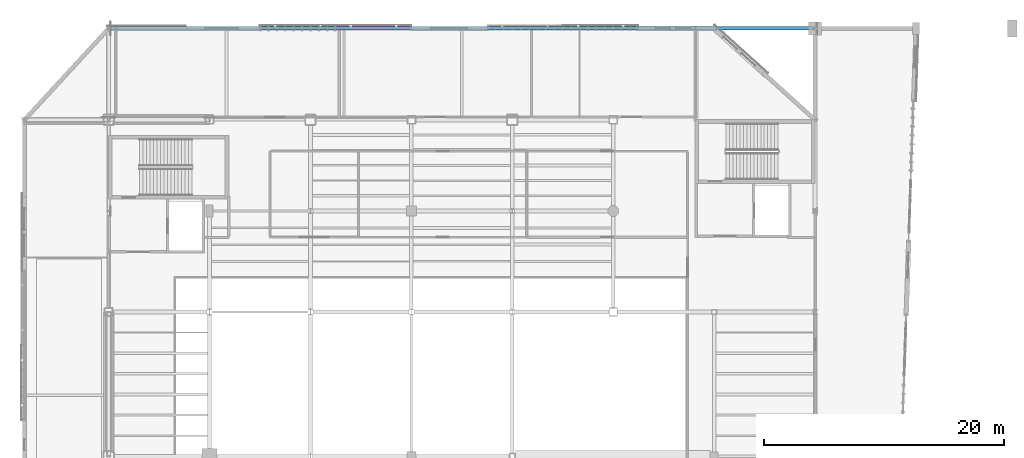
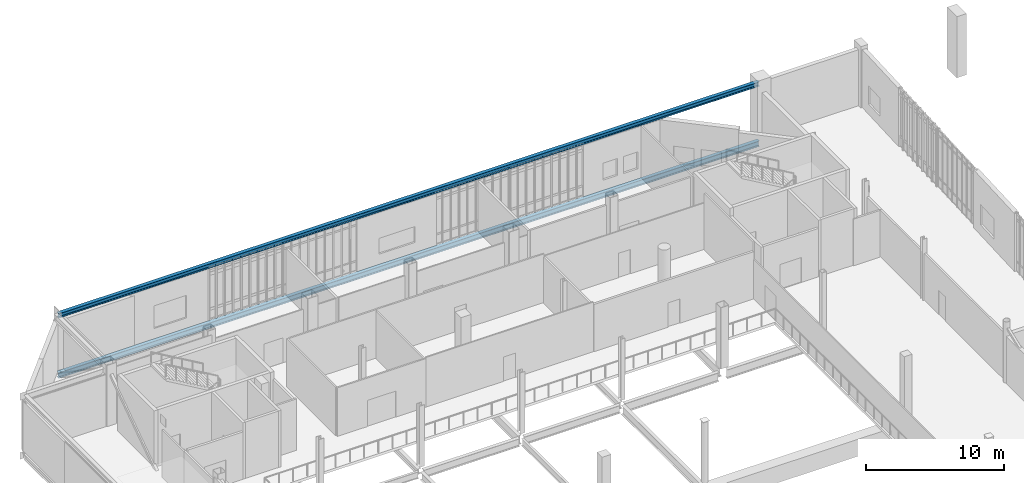
# One storey, part 37 of 127: 2 beams.
"""IFC4 building model written with IfcOpenShell, lengths in metres."""

from ifc_helpers import new_model, si_unit, direction, frame, origin, origin_2d, place, context, subcontext, project, spatial, i_section, extrude, material, material_profile, profile_set, type_object, element, save


model = new_model("IFC4")

# Units and contexts
model_context = context("Model", 3, precision=1e-05, world=origin(), true_north=direction((0.0, 1.0)))
body_context = subcontext(model_context, "Body", "Model", "MODEL_VIEW")
ifc_project = project(units=[si_unit("LENGTHUNIT", "METRE"), si_unit("AREAUNIT", "SQUARE_METRE"), si_unit("VOLUMEUNIT", "CUBIC_METRE"), si_unit("PLANEANGLEUNIT", "RADIAN"), si_unit("MASSUNIT", "GRAM", prefix="KILO")], contexts=[model_context])

# Site, building, storey
site_placement = place(None, origin())
site = spatial("IfcSite", under=ifc_project, at=site_placement, CompositionType="ELEMENT")
building_placement = place(site_placement, origin())
building = spatial("IfcBuilding", under=site, at=building_placement, Name="Larkvane Passage Sports Hall", CompositionType="ELEMENT")
storey_placement = place(building_placement, frame((0.0, 0.0, 5.39990234375)))
storey = spatial("IfcBuildingStorey", under=building, at=storey_placement, Name="L01", CompositionType="ELEMENT", Elevation=5.39990234375)

# Beams
ifc_material = material(Name="Steel S355JR", Category="steel")
ifc_material_profile_1 = material_profile(ifc_material, i_section(OverallWidth=0.300048828125, OverallDepth=0.389892578125, WebThickness=0.010009765625, FlangeThickness=0.01611328125, FilletRadius=0.01806640625, at=origin_2d()), Name="H-390x300x10x16")
ifc_profile_set_1 = profile_set([ifc_material_profile_1], Name="Steel S355JR")
beam_type_1 = type_object("IfcBeamType", Name="BM-STL-H390", PredefinedType="BEAM", material=ifc_profile_set_1)
beam_1_placement = place(storey_placement, frame((34.949951171875, 99.199951171875, 4.78515625), z_axis=(1.0, 0.0, 0.0), x_axis=(0.0, 1.0, 0.0)))
element("IfcBeam", 1, at=beam_1_placement, inside=storey, type_object=beam_type_1, Name="Cantilever transverse top beam CT-N1A--3", PredefinedType="BEAM", context=body_context, shape_type="SweptSolid", body=[
    extrude(i_section(OverallWidth=0.300048828125, OverallDepth=0.389892578125, WebThickness=0.010009765625, FlangeThickness=0.01611328125, FilletRadius=0.01806640625, at=origin_2d()), origin(), (0.0, 0.0, 1.0), 58.5),
])
ifc_material_profile_2 = material_profile(ifc_material, i_section(OverallWidth=0.300048828125, OverallDepth=0.488037109375, WebThickness=0.010986328125, FlangeThickness=0.01806640625, FilletRadius=0.02197265625, at=origin_2d()), Name="H-488x300x11x18")
ifc_profile_set_2 = profile_set([ifc_material_profile_2], Name="Steel S355JR")
beam_type_2 = type_object("IfcBeamType", Name="BM-STL-H488", PredefinedType="BEAM", material=ifc_profile_set_2)
beam_2_placement = place(storey_placement, frame((34.949951171875, 99.199951171875, -0.473876953125), z_axis=(1.0, 0.0, 0.0), x_axis=(0.0, 1.0, 0.0)))
element("IfcBeam", 2, at=beam_2_placement, inside=storey, type_object=beam_type_2, Name="Cantilever transverse flr beam CT-N1A--3", PredefinedType="BEAM", context=body_context, shape_type="SweptSolid", body=[
    extrude(i_section(OverallWidth=0.300048828125, OverallDepth=0.488037109375, WebThickness=0.010986328125, FlangeThickness=0.01806640625, FilletRadius=0.02197265625, at=origin_2d()), origin(), (0.0, 0.0, 1.0), 58.5),
])

save(model, "model.ifc")
